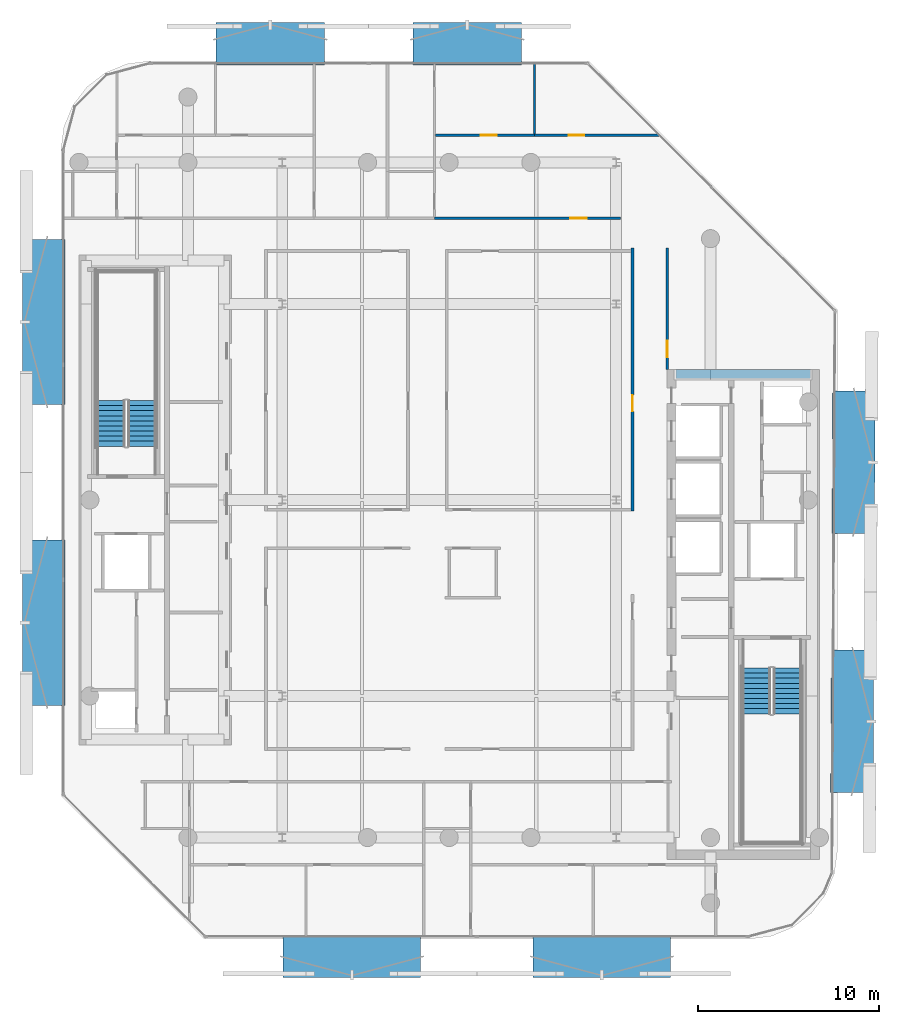
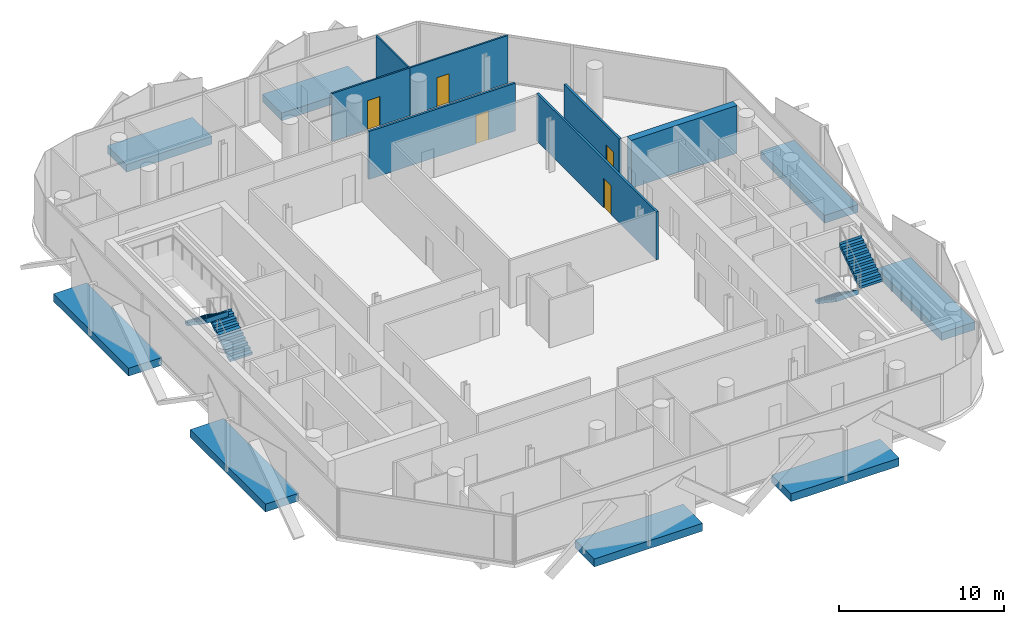
# One storey, part 8 of 16: 8 discrete accessories, 7 walls, 5 doors, 4 stair flights, 5 openings, 2 elements without a shape of their own.
"""IFC4 building model written with IfcOpenShell, lengths in metres."""

import ifcopenshell
import ifcopenshell.guid

model = None  # the IFC model being written
_history = None  # IfcOwnerHistory: only IFC2X3 demands one
_inside = {}  # id of a spatial element -> (the spatial element, [elements in it])
_under = {}  # id of a project, library or spatial element -> (it, [spatial elements below it])
_declared = {}  # id of a project -> (the project, [libraries it declares])
_typed = {}  # id of a type object -> (the type object, [elements of that type])
_made_of = {}  # id of a material, layer set ... -> (it, [elements and type objects made of it])


def new_model(schema):
    """Start an empty IFC model of exactly this schema.

    Asked for "IFC4X3", IfcOpenShell would pick the latest addendum, in which some entities
    have other attributes; the version numbers below select the first issue.
    IFC2X3 requires an IfcOwnerHistory on every rooted entity: one is made here for all.
    """
    global model, _history
    if schema == "IFC4X3":
        model = ifcopenshell.file(schema_version=(4, 3, 0, 0))
    else:
        model = ifcopenshell.file(schema=schema)
    _inside.clear()
    _under.clear()
    _declared.clear()
    _typed.clear()
    _made_of.clear()
    _history = None
    if model.schema == "IFC2X3":
        org = make("IfcOrganization", Name="unknown")
        user = make(
            "IfcPersonAndOrganization",
            ThePerson=make("IfcPerson", FamilyName="unknown"),
            TheOrganization=org,
        )
        app = make(
            "IfcApplication",
            ApplicationDeveloper=org,
            Version="unknown",
            ApplicationFullName="unknown",
            ApplicationIdentifier="unknown",
        )
        _history = make(
            "IfcOwnerHistory",
            OwningUser=user,
            OwningApplication=app,
            ChangeAction="ADDED",
            CreationDate=0,
        )
    return model


def make(cls, **values):
    """One entity of the class cls with the attributes given. An attribute that is None is left unset."""
    return model.create_entity(
        cls, **{name: value for name, value in values.items() if value is not None}
    )


def rooted(cls, **values):
    """An entity with a GlobalId (a new one), such as an element, a storey or a relation."""
    return make(cls, GlobalId=ifcopenshell.guid.new(), OwnerHistory=_history, **values)


def si_unit(unit_type, name, prefix=None):
    """IfcSIUnit, for example si_unit("LENGTHUNIT", "METRE", prefix="MILLI")."""
    return make("IfcSIUnit", UnitType=unit_type, Prefix=prefix, Name=name)


def assignment(units):
    """IfcUnitAssignment: the units of a project."""
    return None if units is None else make("IfcUnitAssignment", Units=units)


def point(xyz):
    """IfcCartesianPoint."""
    return None if xyz is None else make("IfcCartesianPoint", Coordinates=xyz)


def direction(xyz):
    """IfcDirection."""
    return None if xyz is None else make("IfcDirection", DirectionRatios=xyz)


def frame(location, z_axis=None, x_axis=None):
    """IfcAxis2Placement3D, a coordinate frame: its origin and axes. An axis left out is left unset."""
    return make(
        "IfcAxis2Placement3D",
        Location=point(location),
        Axis=direction(z_axis),
        RefDirection=direction(x_axis),
    )


def frame_2d(location, x_axis=None):
    """IfcAxis2Placement2D, a coordinate frame in the plane: its origin and x axis."""
    return make(
        "IfcAxis2Placement2D", Location=point(location), RefDirection=direction(x_axis)
    )


def origin():
    """The frame at (0, 0, 0) with its axes left unset."""
    return frame((0.0, 0.0, 0.0))


def origin_2d():
    """The frame at (0, 0) in the plane with its x axis left unset."""
    return frame_2d((0.0, 0.0))


def place(relative_to, where):
    """IfcLocalPlacement: puts the frame where relative to a parent placement (None: the world)."""
    return make(
        "IfcLocalPlacement", PlacementRelTo=relative_to, RelativePlacement=where
    )


def context(
    kind, dimensions, precision=None, world=None, true_north=None, identifier=None
):
    """IfcGeometricRepresentationContext, for example the 3D "Model" context."""
    return make(
        "IfcGeometricRepresentationContext",
        ContextIdentifier=identifier,
        ContextType=kind,
        CoordinateSpaceDimension=dimensions,
        Precision=precision,
        WorldCoordinateSystem=world,
        TrueNorth=true_north,
    )


def subcontext(parent, identifier, kind, view, scale=None):
    """IfcGeometricRepresentationSubContext, for example "Body" below "Model"."""
    return make(
        "IfcGeometricRepresentationSubContext",
        ContextIdentifier=identifier,
        ContextType=kind,
        ParentContext=parent,
        TargetScale=scale,
        TargetView=view,
    )


def project(units=None, contexts=None):
    """IfcProject with its units and contexts."""
    return rooted(
        "IfcProject",
        Name="project",
        RepresentationContexts=contexts,
        UnitsInContext=assignment(units),
    )


def spatial(cls, under=None, at=None, **own):
    """A site, building, storey or space (cls), placed at a placement, below another one or the project."""
    s = rooted(cls, ObjectPlacement=at, **own)
    if under is not None:
        _under.setdefault(under.id(), (under, []))[1].append(s)
    return s


def polyline(points):
    """IfcPolyline through the points."""
    return make("IfcPolyline", Points=[point(p) for p in points])


def profile(cls, at=None, kind="AREA", **sizes):
    """A parametric profile (cls). Its sizes go by their IFC names, for example OverallWidth=200.0."""
    return make(cls, ProfileType=kind, Position=at, **sizes)


def rectangle(**sizes):
    """IfcRectangleProfileDef."""
    return profile("IfcRectangleProfileDef", **sizes)


def outline(outer, holes=None, kind="AREA"):
    """IfcArbitraryClosedProfileDef: a profile drawn as a closed curve; with holes, ...WithVoids."""
    if holes is None:
        return make("IfcArbitraryClosedProfileDef", ProfileType=kind, OuterCurve=outer)
    return make(
        "IfcArbitraryProfileDefWithVoids",
        ProfileType=kind,
        OuterCurve=outer,
        InnerCurves=holes,
    )


def extrude(swept, where, along, depth):
    """IfcExtrudedAreaSolid: the profile swept, set in the frame where, extruded along a direction by depth."""
    return make(
        "IfcExtrudedAreaSolid",
        SweptArea=swept,
        Position=where,
        ExtrudedDirection=direction(along),
        Depth=depth,
    )


def shape(context_of_items, identifier, shape_type, items):
    """IfcShapeRepresentation: the items that make up one representation, for example the "Body"."""
    return make(
        "IfcShapeRepresentation",
        ContextOfItems=context_of_items,
        RepresentationIdentifier=identifier,
        RepresentationType=shape_type,
        Items=items,
    )


def material(Name=None, Category=None):
    """IfcMaterial."""
    return make("IfcMaterial", Name=Name, Category=Category)


def layer(
    of_material, thickness, ventilated=None, Name=None, Category=None, Priority=None
):
    """IfcMaterialLayer: one layer of a wall or slab, of a material (None: an air gap)."""
    return make(
        "IfcMaterialLayer",
        Material=of_material,
        LayerThickness=thickness,
        IsVentilated=ventilated,
        Name=Name,
        Category=Category,
        Priority=Priority,
    )


def layer_set(layers, Name=None):
    """IfcMaterialLayerSet."""
    return make("IfcMaterialLayerSet", MaterialLayers=layers, LayerSetName=Name)


def made_of(thing, what):
    """Note that an element or type object is made of a material, layer set ...; save() writes the relation."""
    if what is not None:
        _made_of.setdefault(what.id(), (what, []))[1].append(thing)
    return thing


def type_object(cls, material=None, **own):
    """A type object (cls), such as IfcWallType, which elements share."""
    return made_of(rooted(cls, **own), material)


def element(
    cls,
    number,
    at=None,
    inside=None,
    cuts=None,
    type_object=None,
    material=None,
    context=None,
    identifier="Body",
    shape_type=None,
    held_by="IfcProductDefinitionShape",
    body=None,
    shapes=None,
    **own,
):
    """One element of the class cls, such as IfcWall. Its Tag is "e" and its number.

    at: its placement. inside: the storey or other place that contains it. cuts: it is an
    opening in that element (IfcRelVoidsElement). A single representation is given by context,
    identifier, shape_type and body (its items); several are given by shapes. held_by: the class
    of the entity that holds the representations. save() writes the other relations.
    """
    e = rooted(cls, Tag="e%d" % number, ObjectPlacement=at, **own)
    if body is not None:
        shapes = [shape(context, identifier, shape_type, body)]
    if shapes is not None:
        e.Representation = make(held_by, Representations=shapes)
    if inside is not None:
        _inside.setdefault(inside.id(), (inside, []))[1].append(e)
    if cuts is not None:
        rooted(
            "IfcRelVoidsElement", RelatingBuildingElement=cuts, RelatedOpeningElement=e
        )
    if type_object is not None:
        _typed.setdefault(type_object.id(), (type_object, []))[1].append(e)
    return made_of(e, material)


def fill(opening, filler):
    """IfcRelFillsElement: the door or window that sits in an opening."""
    return rooted(
        "IfcRelFillsElement",
        RelatingOpeningElement=opening,
        RelatedBuildingElement=filler,
    )


def aggregate(whole, parts):
    """IfcRelAggregates: a whole, such as a stair, and the parts it consists of."""
    return rooted("IfcRelAggregates", RelatingObject=whole, RelatedObjects=parts)


def save(model, path):
    """Write the relations noted so far, then the file.

    IfcRelAggregates (storeys below a building ...), IfcRelContainedInSpatialStructure (elements
    in a storey), IfcRelDefinesByType, IfcRelAssociatesMaterial and IfcRelDeclares: one each for
    every whole, place, type object, material and project.
    """
    for whole, parts in _under.values():
        aggregate(whole, parts)
    for where, things in _inside.values():
        rooted(
            "IfcRelContainedInSpatialStructure",
            RelatedElements=things,
            RelatingStructure=where,
        )
    for kind, things in _typed.values():
        rooted("IfcRelDefinesByType", RelatedObjects=things, RelatingType=kind)
    for what, things in _made_of.values():
        rooted("IfcRelAssociatesMaterial", RelatedObjects=things, RelatingMaterial=what)
    for by, libraries in _declared.values():
        rooted("IfcRelDeclares", RelatingContext=by, RelatedDefinitions=libraries)
    model.write(path)


model = new_model("IFC4")

# Units and contexts
model_context = context("Model", 3, precision=1e-05, world=origin(), true_north=direction((0.0, 1.0)))
body_context = subcontext(model_context, "Body", "Model", "MODEL_VIEW")
ifc_project = project(units=[si_unit("LENGTHUNIT", "METRE"), si_unit("AREAUNIT", "SQUARE_METRE"), si_unit("VOLUMEUNIT", "CUBIC_METRE"), si_unit("PLANEANGLEUNIT", "RADIAN"), si_unit("MASSUNIT", "GRAM", prefix="KILO")], contexts=[model_context])

# Site, building, storey
site_placement = place(None, origin())
site = spatial("IfcSite", under=ifc_project, at=site_placement, CompositionType="ELEMENT")
building_placement = place(site_placement, origin())
building = spatial("IfcBuilding", under=site, at=building_placement, Name="Khairoan Windgate Tower", CompositionType="ELEMENT")
storey_placement = place(building_placement, frame((0.0, 0.0, 300.39990234375)))
storey = spatial("IfcBuildingStorey", under=building, at=storey_placement, Name="L72", CompositionType="ELEMENT", Elevation=300.39990234375)

# Wall, opening, door
ifc_material_1 = material(Name="Gypsum Stud Partition", Category="gypsum")
ifc_layer_1 = layer(ifc_material_1, 0.1201171875, Name="Gypsum Stud Partition")
ifc_layer_set_1 = layer_set([ifc_layer_1], Name="Gypsum Stud Partition")
wall_type_1 = type_object("IfcWallType", Name="Internal Room Partition Wall", PredefinedType="PARTITIONING", material=ifc_layer_set_1)
wall_1_placement = place(storey_placement, frame((-0.75, 20.10009765625, 0.0), z_axis=(0.0, 0.0, 1.0), x_axis=(1.0, 0.0, 0.0)))
wall_1 = element("IfcWall", 1, at=wall_1_placement, inside=storey, type_object=wall_type_1, Name="L72 Interior Partition 051", PredefinedType="PARTITIONING", context=body_context, shape_type="SweptSolid", body=[
    extrude(rectangle(XDim=5.455078125, YDim=0.1201171875, at=frame_2d((2.7275390625, 0.0))), origin(), (0.0, 0.0, 1.0), 3.5400390625),
])
opening_1_placement = place(wall_1_placement, frame((2.501708984375, 0.0, 0.0)))
opening_1 = element("IfcOpeningElement", 2, at=opening_1_placement, cuts=wall_1, Name="Opening ID-RM", PredefinedType="OPENING", context=body_context, shape_type="SweptSolid", body=[
    extrude(rectangle(XDim=0.860107421875, YDim=2.14990234375, at=frame_2d((0.43017578125, 1.074951171875))), frame((0.0, 0.070068359375, 0.0), z_axis=(0.0, -1.0, 0.0), x_axis=(1.0, 0.0, 0.0)), (0.0, 0.0, 1.0), 0.14013671875),
])
ifc_material_2 = material(Name="Teak Veneer Timber Leaf", Category="wood")
door_type_1 = type_object("IfcDoorType", Name="Internal Bedroom and Office Door ID-RM 860x2150", OperationType="NOTDEFINED", PredefinedType="DOOR", material=ifc_material_2)
door_1_placement = place(opening_1_placement, origin())
door_1 = element("IfcDoor", 3, at=door_1_placement, inside=storey, type_object=door_type_1, Name="L72 L72-41-L72-42 Door", OperationType="SINGLE_SWING_LEFT", OverallHeight=2.14990234375, OverallWidth=0.860107421875, PredefinedType="DOOR", context=body_context, shape_type="SweptSolid", body=[
    extrude(rectangle(XDim=0.860107421875, YDim=2.14990234375, at=frame_2d((0.43017578125, 1.074951171875))), frame((0.0, 0.02490234375, 0.0), z_axis=(0.0, -1.0, 0.0), x_axis=(1.0, 0.0, 0.0)), (0.0, 0.0, 1.0), 0.050048828125),
])
fill(opening_1, door_1)

wall_2_placement = place(storey_placement, frame((4.705078125, 20.10009765625, 0.0), z_axis=(0.0, 0.0, 1.0), x_axis=(1.0, 0.0, 0.0)))
wall_2 = element("IfcWall", 4, at=wall_2_placement, inside=storey, type_object=wall_type_1, Name="L72 Interior Partition 052", PredefinedType="PARTITIONING", context=body_context, shape_type="SweptSolid", body=[
    extrude(rectangle(XDim=6.871826171875, YDim=0.1201171875, at=frame_2d((3.43603515625, 0.0))), origin(), (0.0, 0.0, 1.0), 3.5400390625),
])
opening_2_placement = place(wall_2_placement, frame((1.8857421875, 0.0, 0.0)))
opening_2 = element("IfcOpeningElement", 5, at=opening_2_placement, cuts=wall_2, Name="Opening ID-RM", PredefinedType="OPENING", context=body_context, shape_type="SweptSolid", body=[
    extrude(rectangle(XDim=0.860107421875, YDim=2.14990234375, at=frame_2d((0.43017578125, 1.074951171875))), frame((0.0, 0.070068359375, 0.0), z_axis=(0.0, -1.0, 0.0), x_axis=(1.0, 0.0, 0.0)), (0.0, 0.0, 1.0), 0.14013671875),
])
door_2_placement = place(opening_2_placement, origin())
door_2 = element("IfcDoor", 6, at=door_2_placement, inside=storey, type_object=door_type_1, Name="L72 L72-41-L72-43 Door", OperationType="SINGLE_SWING_RIGHT", OverallHeight=2.14990234375, OverallWidth=0.860107421875, PredefinedType="DOOR", context=body_context, shape_type="SweptSolid", body=[
    extrude(rectangle(XDim=0.860107421875, YDim=2.14990234375, at=frame_2d((0.43017578125, 1.074951171875))), frame((0.0, 0.02490234375, 0.0), z_axis=(0.0, -1.0, 0.0), x_axis=(1.0, 0.0, 0.0)), (0.0, 0.0, 1.0), 0.050048828125),
])
fill(opening_2, door_2)

# Wall
wall_3_placement = place(storey_placement, frame((4.705078125, 20.159912109375, 0.0), z_axis=(0.0, 0.0, 1.0), x_axis=(0.0, 1.0, 0.0)))
element("IfcWall", 7, at=wall_3_placement, inside=storey, type_object=wall_type_1, Name="L72 Interior Partition 053", PredefinedType="PARTITIONING", context=body_context, shape_type="SweptSolid", body=[
    extrude(rectangle(XDim=3.89501953125, YDim=0.1201171875, at=frame_2d((1.947509765625, 0.0))), origin(), (0.0, 0.0, 1.0), 3.5400390625),
])

# Wall, opening, door
ifc_material_3 = material(Name="Acoustic Fire-Rated Gypsum Partition", Category="gypsum")
ifc_layer_2 = layer(ifc_material_3, 0.14990234375, Name="Acoustic Fire-Rated Gypsum Partition")
ifc_layer_set_2 = layer_set([ifc_layer_2], Name="Acoustic Fire-Rated Gypsum Partition")
wall_type_2 = type_object("IfcWallType", Name="Rated Corridor Partition Wall", PredefinedType="PARTITIONING", material=ifc_layer_set_2)
wall_4_placement = place(storey_placement, frame((12.014892578125, 7.199951171875, 0.0), z_axis=(0.0, 0.0, 1.0), x_axis=(0.0, 1.0, 0.0)))
wall_4 = element("IfcWall", 8, at=wall_4_placement, inside=storey, type_object=wall_type_2, Name="L72 Interior Partition 014", PredefinedType="PARTITIONING", context=body_context, shape_type="SweptSolid", body=[
    extrude(rectangle(XDim=6.679931640625, YDim=0.14990234375, at=frame_2d((3.33984375, 0.0))), origin(), (0.0, 0.0, 1.0), 3.5400390625),
])
opening_3_placement = place(wall_4_placement, frame((0.669921875, 0.0, 0.0)))
opening_3 = element("IfcOpeningElement", 9, at=opening_3_placement, cuts=wall_4, Name="Opening FD-ENT", PredefinedType="OPENING", context=body_context, shape_type="SweptSolid", body=[
    extrude(rectangle(XDim=0.89990234375, YDim=2.14990234375, at=frame_2d((0.449951171875, 1.074951171875))), frame((0.0, 0.0849609375, 0.0), z_axis=(0.0, -1.0, 0.0), x_axis=(1.0, 0.0, 0.0)), (0.0, 0.0, 1.0), 0.169921875),
])
ifc_material_4 = material(Name="Timber Fire-Rated Core", Category="wood")
door_type_2 = type_object("IfcDoorType", Name="Unit and Office Fire Entrance Door FD-ENT 900x2150", OperationType="NOTDEFINED", PredefinedType="DOOR", material=ifc_material_4)
door_3_placement = place(opening_3_placement, origin())
door_3 = element("IfcDoor", 10, at=door_3_placement, inside=storey, type_object=door_type_2, Name="L72 L72-28-L72-55 Door", OperationType="SINGLE_SWING_LEFT", OverallHeight=2.14990234375, OverallWidth=0.89990234375, PredefinedType="DOOR", context=body_context, shape_type="SweptSolid", body=[
    extrude(rectangle(XDim=0.89990234375, YDim=2.14990234375, at=frame_2d((0.449951171875, 1.074951171875))), frame((0.0, 0.02490234375, 0.0), z_axis=(0.0, -1.0, 0.0), x_axis=(1.0, 0.0, 0.0)), (0.0, 0.0, 1.0), 0.050048828125),
])
fill(opening_3, door_3)

wall_5_placement = place(storey_placement, frame((10.10009765625, -0.610107421875, 0.0), z_axis=(0.0, 0.0, 1.0), x_axis=(0.0, 1.0, 0.0)))
wall_5 = element("IfcWall", 11, at=wall_5_placement, inside=storey, type_object=wall_type_2, Name="L72 Interior Partition 015", PredefinedType="PARTITIONING", context=body_context, shape_type="SweptSolid", body=[
    extrude(rectangle(XDim=14.489990234375, YDim=0.14990234375, at=frame_2d((7.2451171875, 0.0))), origin(), (0.0, 0.0, 1.0), 3.5400390625),
])
opening_4_placement = place(wall_5_placement, frame((5.48779296875, 0.0, 0.0)))
opening_4 = element("IfcOpeningElement", 12, at=opening_4_placement, cuts=wall_5, Name="Opening FD-ENT", PredefinedType="OPENING", context=body_context, shape_type="SweptSolid", body=[
    extrude(rectangle(XDim=0.89990234375, YDim=2.14990234375, at=frame_2d((0.449951171875, 1.074951171875))), frame((0.0, 0.0849609375, 0.0), z_axis=(0.0, -1.0, 0.0), x_axis=(1.0, 0.0, 0.0)), (0.0, 0.0, 1.0), 0.169921875),
])
door_4_placement = place(opening_4_placement, origin())
door_4 = element("IfcDoor", 13, at=door_4_placement, inside=storey, type_object=door_type_2, Name="L72 L72-28-L72-58 Door", OperationType="SINGLE_SWING_RIGHT", OverallHeight=2.14990234375, OverallWidth=0.89990234375, PredefinedType="DOOR", context=body_context, shape_type="SweptSolid", body=[
    extrude(rectangle(XDim=0.89990234375, YDim=2.14990234375, at=frame_2d((0.449951171875, 1.074951171875))), frame((0.0, 0.02490234375, 0.0), z_axis=(0.0, -1.0, 0.0), x_axis=(1.0, 0.0, 0.0)), (0.0, 0.0, 1.0), 0.050048828125),
])
fill(opening_4, door_4)

wall_6_placement = place(storey_placement, frame((-0.81005859375, 15.52490234375, 0.0), z_axis=(0.0, 0.0, 1.0), x_axis=(1.0, 0.0, 0.0)))
wall_6 = element("IfcWall", 14, at=wall_6_placement, inside=storey, type_object=wall_type_2, Name="L72 Interior Partition 027", PredefinedType="PARTITIONING", context=body_context, shape_type="SweptSolid", body=[
    extrude(rectangle(XDim=10.25, YDim=0.14990234375, at=frame_2d((5.125, 0.0))), origin(), (0.0, 0.0, 1.0), 3.5400390625),
])
opening_5_placement = place(wall_6_placement, frame((7.485107421875, 0.0, 0.0)))
opening_5 = element("IfcOpeningElement", 15, at=opening_5_placement, cuts=wall_6, Name="Opening FD-ENT", PredefinedType="OPENING", context=body_context, shape_type="SweptSolid", body=[
    extrude(rectangle(XDim=0.89990234375, YDim=2.14990234375, at=frame_2d((0.449951171875, 1.074951171875))), frame((0.0, 0.0849609375, 0.0), z_axis=(0.0, -1.0, 0.0), x_axis=(1.0, 0.0, 0.0)), (0.0, 0.0, 1.0), 0.169921875),
])
door_5_placement = place(opening_5_placement, origin())
door_5 = element("IfcDoor", 16, at=door_5_placement, inside=storey, type_object=door_type_2, Name="L72 L72-31-L72-41 Door", OperationType="SINGLE_SWING_LEFT", OverallHeight=2.14990234375, OverallWidth=0.89990234375, PredefinedType="DOOR", context=body_context, shape_type="SweptSolid", body=[
    extrude(rectangle(XDim=0.89990234375, YDim=2.14990234375, at=frame_2d((0.449951171875, 1.074951171875))), frame((0.0, 0.02490234375, 0.0), z_axis=(0.0, -1.0, 0.0), x_axis=(1.0, 0.0, 0.0)), (0.0, 0.0, 1.0), 0.050048828125),
])
fill(opening_5, door_5)

# Wall
ifc_material_5 = material(Name="Concrete C50/60", Category="concrete")
ifc_layer_3 = layer(ifc_material_5, 0.5, Name="Concrete C50/60")
ifc_layer_set_3 = layer_set([ifc_layer_3], Name="Concrete C50/60")
wall_type_3 = type_object("IfcWallType", Name="Shear Wall CW-E3 500mm", PredefinedType="SHEAR", material=ifc_layer_set_3)
wall_7_placement = place(storey_placement, frame((12.5, 6.949951171875, 0.0), z_axis=(0.0, 0.0, 1.0), x_axis=(1.0, 0.0, 0.0)))
element("IfcWall", 17, at=wall_7_placement, inside=storey, type_object=wall_type_3, Name="E Core North Shear Wall L72", PredefinedType="SHEAR", context=body_context, shape_type="SweptSolid", body=[
    extrude(rectangle(XDim=7.39990234375, YDim=0.5, at=frame_2d((3.699951171875, 0.0))), origin(), (0.0, 0.0, 1.0), 3.5400390625),
])

# Stair, stair flights
ifc_material_6 = material(Name="Concrete C40/50", Category="concrete")
stair_type = type_object("IfcStairType", Name="Tower Core Dog-Leg Stair ST-T1 1560mm", PredefinedType="HALF_TURN_STAIR", material=ifc_material_6)
stair_1_placement = place(storey_placement, origin())
stair_1 = element("IfcStair", 18, at=stair_1_placement, inside=storey, type_object=stair_type, Name="L72 Stair ST1", PredefinedType="HALF_TURN_STAIR")
ifc_material_7 = material(Name="Concrete C40/50", Category="concrete")
ifc_layer_4 = layer(ifc_material_7, 0.14990234375, Name="Concrete C40/50")
ifc_layer_set_4 = layer_set([ifc_layer_4], Name="Concrete C40/50")
stair_flight_type = type_object("IfcStairFlightType", Name="Tower Core Stair Flight STF-1560", PredefinedType="STRAIGHT", material=ifc_layer_set_4)
stair_flight_1_placement = place(storey_placement, frame((16.929931640625, -9.260009765625, 0.0), z_axis=(0.0, 0.0, 1.0), x_axis=(0.0, -1.0, 0.0)))
stair_flight_1 = element("IfcStairFlight", 19, at=stair_flight_1_placement, type_object=stair_flight_type, Name="ST1 flight 1", NumberOfRisers=10, NumberOfTreads=9, PredefinedType="STRAIGHT", RiserHeight=0.19, TreadLength=0.28, context=body_context, shape_type="SweptSolid", body=[
    extrude(outline(polyline([(-0.00390625, 0.0), (-0.00390625, 0.18994140625), (0.0, 0.18994140625), (0.280029296875, 0.18994140625), (0.280029296875, 0.3798828125), (0.56005859375, 0.3798828125), (0.56005859375, 0.570068359375), (0.840087890625, 0.570068359375), (0.840087890625, 0.760009765625), (1.1201171875, 0.760009765625), (1.1201171875, 0.949951171875), (1.39990234375, 0.949951171875), (1.39990234375, 1.139892578125), (1.679931640625, 1.139892578125), (1.679931640625, 1.330078125), (1.9599609375, 1.330078125), (1.9599609375, 1.52001953125), (2.239990234375, 1.52001953125), (2.239990234375, 1.7099609375), (2.52001953125, 1.7099609375), (2.52001953125, 1.89990234375), (2.52392578125, 1.89990234375), (2.52392578125, 1.52880859375), (0.266845703125, 0.0), (-0.00390625, 0.0)])), frame((0.0, 0.780029296875, 0.0), z_axis=(0.0, -1.0, 0.0), x_axis=(1.0, 0.0, 0.0)), (0.0, 0.0, 1.0), 1.56005859375),
])
stair_flight_2_placement = place(storey_placement, frame((18.639892578125, -11.780029296875, 1.900146484375), z_axis=(0.0, 0.0, 1.0), x_axis=(0.0, 1.0, 0.0)))
stair_flight_2 = element("IfcStairFlight", 20, at=stair_flight_2_placement, type_object=stair_flight_type, Name="ST1 flight 2", NumberOfRisers=10, NumberOfTreads=9, PredefinedType="STRAIGHT", RiserHeight=0.19, TreadLength=0.28, context=body_context, shape_type="SweptSolid", body=[
    extrude(outline(polyline([(-0.00390625, 0.0), (-0.00390625, 0.18994140625), (0.0, 0.18994140625), (0.280029296875, 0.18994140625), (0.280029296875, 0.3798828125), (0.56005859375, 0.3798828125), (0.56005859375, 0.570068359375), (0.840087890625, 0.570068359375), (0.840087890625, 0.760009765625), (1.1201171875, 0.760009765625), (1.1201171875, 0.949951171875), (1.39990234375, 0.949951171875), (1.39990234375, 1.139892578125), (1.679931640625, 1.139892578125), (1.679931640625, 1.330078125), (1.9599609375, 1.330078125), (1.9599609375, 1.52001953125), (2.239990234375, 1.52001953125), (2.239990234375, 1.7099609375), (2.52001953125, 1.7099609375), (2.52001953125, 1.89990234375), (2.52392578125, 1.89990234375), (2.52392578125, 1.52880859375), (0.266845703125, 0.0), (-0.00390625, 0.0)])), frame((0.0, 0.780029296875, 0.0), z_axis=(0.0, -1.0, 0.0), x_axis=(1.0, 0.0, 0.0)), (0.0, 0.0, 1.0), 1.56005859375),
])
aggregate(stair_1, [stair_flight_1, stair_flight_2])

stair_2_placement = place(storey_placement, origin())
stair_2 = element("IfcStair", 21, at=stair_2_placement, inside=storey, type_object=stair_type, Name="L72 Stair ST2", PredefinedType="HALF_TURN_STAIR")
stair_flight_3_placement = place(storey_placement, frame((-16.929931640625, 2.9599609375, 0.0), z_axis=(0.0, 0.0, 1.0), x_axis=(0.0, 1.0, 0.0)))
stair_flight_3 = element("IfcStairFlight", 22, at=stair_flight_3_placement, type_object=stair_flight_type, Name="ST2 flight 1", NumberOfRisers=10, NumberOfTreads=9, PredefinedType="STRAIGHT", RiserHeight=0.19, TreadLength=0.28, context=body_context, shape_type="SweptSolid", body=[
    extrude(outline(polyline([(-0.00390625, 0.0), (-0.00390625, 0.18994140625), (0.0, 0.18994140625), (0.280029296875, 0.18994140625), (0.280029296875, 0.3798828125), (0.56005859375, 0.3798828125), (0.56005859375, 0.570068359375), (0.840087890625, 0.570068359375), (0.840087890625, 0.760009765625), (1.1201171875, 0.760009765625), (1.1201171875, 0.949951171875), (1.39990234375, 0.949951171875), (1.39990234375, 1.139892578125), (1.679931640625, 1.139892578125), (1.679931640625, 1.330078125), (1.9599609375, 1.330078125), (1.9599609375, 1.52001953125), (2.239990234375, 1.52001953125), (2.239990234375, 1.7099609375), (2.52001953125, 1.7099609375), (2.52001953125, 1.89990234375), (2.52392578125, 1.89990234375), (2.52392578125, 1.52880859375), (0.266845703125, 0.0), (-0.00390625, 0.0)])), frame((0.0, 0.780029296875, 0.0), z_axis=(0.0, -1.0, 0.0), x_axis=(1.0, 0.0, 0.0)), (0.0, 0.0, 1.0), 1.56005859375),
])
stair_flight_4_placement = place(storey_placement, frame((-18.639892578125, 5.47998046875, 1.900146484375), z_axis=(0.0, 0.0, 1.0), x_axis=(0.0, -1.0, 0.0)))
stair_flight_4 = element("IfcStairFlight", 23, at=stair_flight_4_placement, type_object=stair_flight_type, Name="ST2 flight 2", NumberOfRisers=10, NumberOfTreads=9, PredefinedType="STRAIGHT", RiserHeight=0.19, TreadLength=0.28, context=body_context, shape_type="SweptSolid", body=[
    extrude(outline(polyline([(-0.00390625, 0.0), (-0.00390625, 0.18994140625), (0.0, 0.18994140625), (0.280029296875, 0.18994140625), (0.280029296875, 0.3798828125), (0.56005859375, 0.3798828125), (0.56005859375, 0.570068359375), (0.840087890625, 0.570068359375), (0.840087890625, 0.760009765625), (1.1201171875, 0.760009765625), (1.1201171875, 0.949951171875), (1.39990234375, 0.949951171875), (1.39990234375, 1.139892578125), (1.679931640625, 1.139892578125), (1.679931640625, 1.330078125), (1.9599609375, 1.330078125), (1.9599609375, 1.52001953125), (2.239990234375, 1.52001953125), (2.239990234375, 1.7099609375), (2.52001953125, 1.7099609375), (2.52001953125, 1.89990234375), (2.52392578125, 1.89990234375), (2.52392578125, 1.52880859375), (0.266845703125, 0.0), (-0.00390625, 0.0)])), frame((0.0, 0.780029296875, 0.0), z_axis=(0.0, -1.0, 0.0), x_axis=(1.0, 0.0, 0.0)), (0.0, 0.0, 1.0), 1.56005859375),
])
aggregate(stair_2, [stair_flight_3, stair_flight_4])

# Discrete accessories
ifc_material_8 = material(Name="Steel S355", Category="steel")
discrete_accessory_type = type_object("IfcDiscreteAccessoryType", Name="Solar Screen Outrigger Slab Bracket SSB-1", PredefinedType="BRACKET", material=ifc_material_8)
for number, where, z_axis, x_axis, name in (
    (24, (8.40771484375, -25.1298828125, -0.419921875), (0.0, 0.0, 1.0), (-1.0, 0.0, 0.0), "L72 Solar Screen Outrigger Bracket 502"),
    (25, (-5.35888671875, -25.1298828125, -0.419921875), (0.0, 0.0, 1.0), (-1.0, 0.0, 0.0), "L72 Solar Screen Outrigger Bracket 503"),
):
    element("IfcDiscreteAccessory", number, at=place(storey_placement, frame(where, z_axis=z_axis, x_axis=x_axis)), inside=storey, type_object=discrete_accessory_type, Name=name, PredefinedType="BRACKET", context=body_context, shape_type="SweptSolid", body=[
        extrude(rectangle(XDim=7.572021484375, YDim=2.340087890625, at=origin_2d()), origin(), (0.0, 0.0, 1.0), 0.580078125),
    ])
for number, where, z_axis, x_axis, name in (
    (26, (-22.330078125, -6.7587890625, -0.419921875), (0.0, 0.0, 1.0), (0.0, 1.0, 0.0), "L72 Solar Screen Outrigger Bracket 504"),
    (27, (-22.330078125, 9.8076171875, -0.419921875), (0.0, 0.0, 1.0), (0.0, 1.0, 0.0), "L72 Solar Screen Outrigger Bracket 505"),
):
    element("IfcDiscreteAccessory", number, at=place(storey_placement, frame(where, z_axis=z_axis, x_axis=x_axis)), inside=storey, type_object=discrete_accessory_type, Name=name, PredefinedType="BRACKET", context=body_context, shape_type="SweptSolid", body=[
        extrude(rectangle(XDim=9.112060546875, YDim=2.340087890625, at=origin_2d()), origin(), (0.0, 0.0, 1.0), 0.580078125),
    ])
for number, where, z_axis, x_axis, name in (
    (28, (-9.862548828125, 25.1298828125, -0.419921875), (0.0, 0.0, 1.0), (1.0, 0.0, 0.0), "L72 Solar Screen Outrigger Bracket 506"),
    (29, (0.993896484375, 25.1298828125, -0.419921875), (0.0, 0.0, 1.0), (1.0, 0.0, 0.0), "L72 Solar Screen Outrigger Bracket 507"),
):
    element("IfcDiscreteAccessory", number, at=place(storey_placement, frame(where, z_axis=z_axis, x_axis=x_axis)), inside=storey, type_object=discrete_accessory_type, Name=name, PredefinedType="BRACKET", context=body_context, shape_type="SweptSolid", body=[
        extrude(rectangle(XDim=5.970947265625, YDim=2.340087890625, at=origin_2d()), origin(), (0.0, 0.0, 1.0), 0.580078125),
    ])
for number, where, z_axis, x_axis, name in (
    (30, (22.285888671875, 2.077880859375, -0.419921875), (0.0, 0.0, 1.0), (-0.005235963831, -0.999986292247, 0.0), "L72 Solar Screen Outrigger Bracket 508"),
    (31, (22.210693359375, -12.198974609375, -0.419921875), (0.0, 0.0, 1.0), (-0.005235963831, -0.999986292247, 0.0), "L72 Solar Screen Outrigger Bracket 509"),
):
    element("IfcDiscreteAccessory", number, at=place(storey_placement, frame(where, z_axis=z_axis, x_axis=x_axis)), inside=storey, type_object=discrete_accessory_type, Name=name, PredefinedType="BRACKET", context=body_context, shape_type="SweptSolid", body=[
        extrude(rectangle(XDim=7.85205078125, YDim=2.340087890625, at=origin_2d()), origin(), (0.0, 0.0, 1.0), 0.580078125),
    ])

save(model, "model.ifc")
